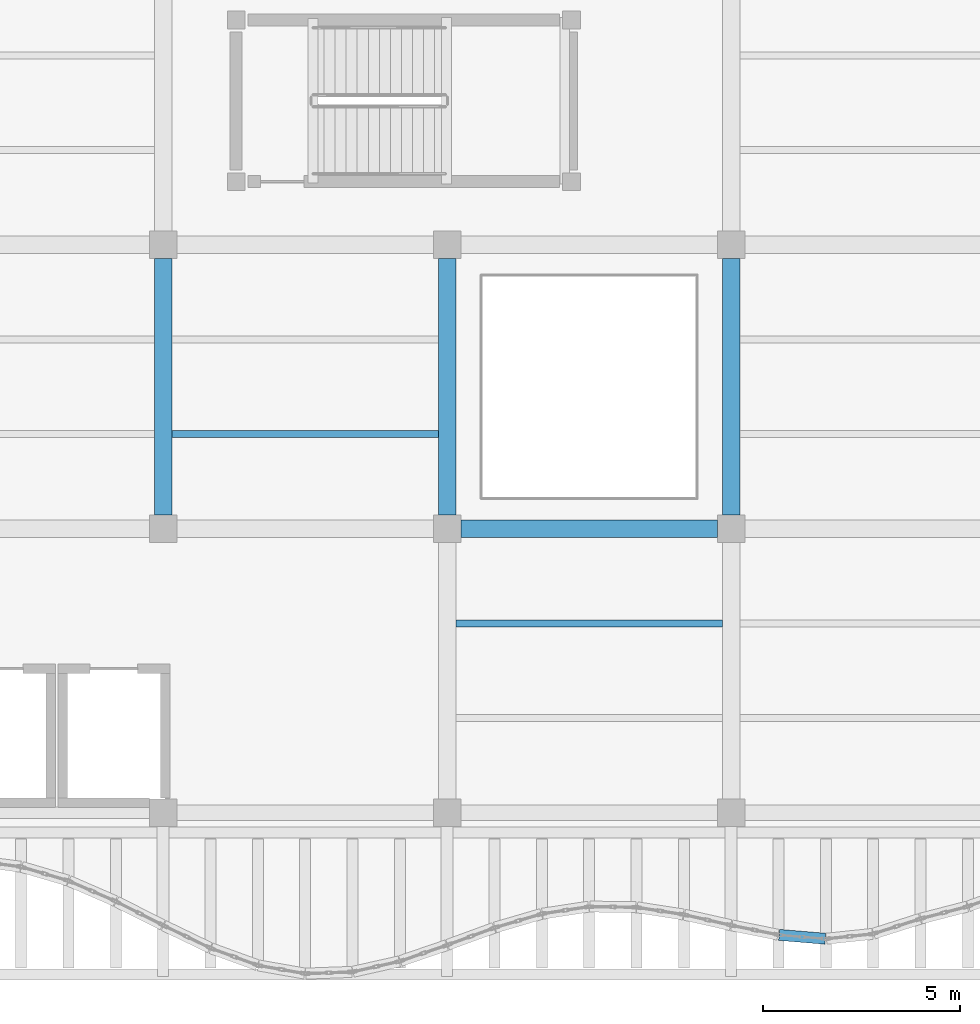
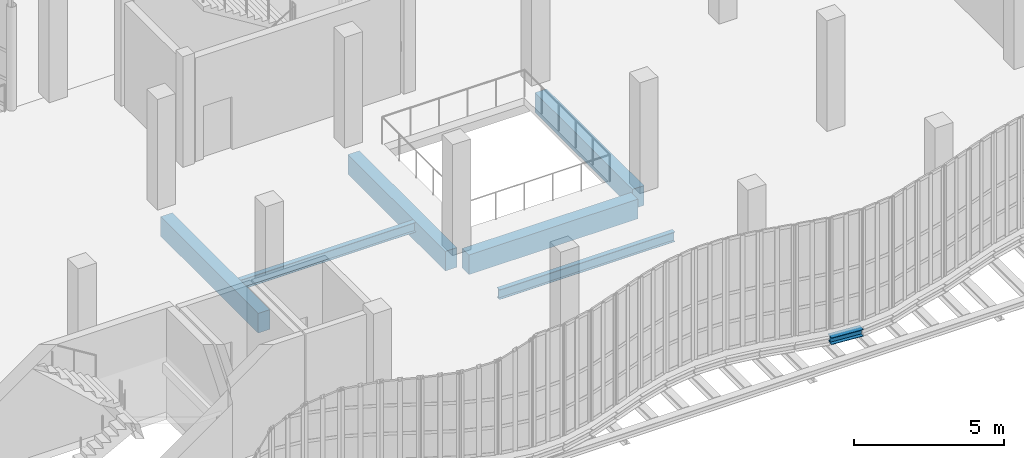
# One storey, part 32 of 108: 7 beams.
"""IFC4 building model written with IfcOpenShell, lengths in metres."""

from ifc_helpers import new_model, si_unit, direction, frame, origin, origin_2d, place, context, subcontext, project, spatial, rectangle, i_section, extrude, material, material_profile, profile_set, type_object, element, save


model = new_model("IFC4")

# Units and contexts
model_context = context("Model", 3, precision=1e-05, world=origin(), true_north=direction((0.0, 1.0)))
body_context = subcontext(model_context, "Body", "Model", "MODEL_VIEW")
ifc_project = project(units=[si_unit("LENGTHUNIT", "METRE"), si_unit("AREAUNIT", "SQUARE_METRE"), si_unit("VOLUMEUNIT", "CUBIC_METRE"), si_unit("PLANEANGLEUNIT", "RADIAN"), si_unit("MASSUNIT", "GRAM", prefix="KILO"), si_unit("THERMODYNAMICTEMPERATUREUNIT", "KELVIN"), si_unit("POWERUNIT", "WATT")], contexts=[model_context])

# Site, building, storey
site_placement = place(None, origin())
site = spatial("IfcSite", under=ifc_project, at=site_placement, CompositionType="ELEMENT")
building_placement = place(site_placement, origin())
building = spatial("IfcBuilding", under=site, at=building_placement, Name="Kaldorven Railside Theatre", CompositionType="ELEMENT")
storey_placement = place(building_placement, frame((0.0, 0.0, 5.39990234375)))
storey = spatial("IfcBuildingStorey", under=building, at=storey_placement, Name="L01", CompositionType="ELEMENT", Elevation=5.39990234375)

# Beams
ifc_material_1 = material(Name="Steel S355", Category="steel")
ifc_material_profile_1 = material_profile(ifc_material_1, i_section(OverallWidth=0.280029296875, OverallDepth=0.280029296875, WebThickness=0.010498046875, FlangeThickness=0.01806640625, at=origin_2d()), Name="HEB 280")
ifc_profile_set_1 = profile_set([ifc_material_profile_1], Name="Steel S355")
beam_type_1 = type_object("IfcBeamType", Name="BM-HEB280", PredefinedType="SPANDREL", material=ifc_profile_set_1)
beam_placement = place(storey_placement, frame((88.414794921875, 16.103271484375, -0.43994140625), z_axis=(0.996519905815, -0.083355127708, 0.0), x_axis=(0.083355127708, 0.996519905815, 0.0)))
element("IfcBeam", 1, at=beam_placement, inside=storey, type_object=beam_type_1, Name="L01 Sinusoidal Flute Edge Spandrel FSB-044", PredefinedType="SPANDREL", context=body_context, shape_type="SweptSolid", body=[
    extrude(i_section(OverallWidth=0.280029296875, OverallDepth=0.280029296875, WebThickness=0.010498046875, FlangeThickness=0.01806640625, at=origin_2d()), origin(), (0.0, 0.0, 1.0), 1.174560546875),
])
ifc_material_profile_2 = material_profile(ifc_material_1, i_section(OverallWidth=0.179931640625, OverallDepth=0.39990234375, WebThickness=0.008544921875, FlangeThickness=0.013427734375, at=origin_2d()), Name="IPE 400")
ifc_profile_set_2 = profile_set([ifc_material_profile_2], Name="Steel S355")
beam_type_2 = type_object("IfcBeamType", Name="BM-IPE400", PredefinedType="JOIST", material=ifc_profile_set_2)
for number, where, z_axis, x_axis, name in (
    (2, (80.22509765625, 24.0, -0.5), (1.0, 0.0, 0.0), (0.0, 1.0, 0.0), "L01 Secondary Floor Joist JG-L01-080-0240"),
    (3, (73.02490234375, 28.800048828125, -0.5), (1.0, 0.0, 0.0), (0.0, 1.0, 0.0), "L01 Secondary Floor Joist JG-L01-072-0288"),
):
    element("IfcBeam", number, at=place(storey_placement, frame(where, z_axis=z_axis, x_axis=x_axis)), inside=storey, type_object=beam_type_2, Name=name, PredefinedType="JOIST", context=body_context, shape_type="SweptSolid", body=[
        extrude(i_section(OverallWidth=0.179931640625, OverallDepth=0.39990234375, WebThickness=0.008544921875, FlangeThickness=0.013427734375, at=origin_2d()), origin(), (0.0, 0.0, 1.0), 6.75),
    ])
ifc_material_2 = material(Name="Concrete C40/50", Category="concrete")
ifc_material_profile_3 = material_profile(ifc_material_2, rectangle(XDim=0.449951171875, YDim=0.800048828125, at=origin_2d()), Name="RC 450x800")
ifc_profile_set_3 = profile_set([ifc_material_profile_3], Name="Concrete C40/50")
beam_type_3 = type_object("IfcBeamType", Name="BM-RC450x800", PredefinedType="BEAM", material=ifc_profile_set_3)
for number, where, z_axis, x_axis, name in (
    (4, (72.800048828125, 26.75, -0.699951171875), (0.0, 1.0, 0.0), (-1.0, 0.0, 0.0), "L01 Girder BGY-L01-072-026-72"),
    (5, (80.35009765625, 26.39990234375, -0.699951171875), (1.0, 0.0, 0.0), (0.0, 1.0, 0.0), "L01 Girder BGX-L01-080-026"),
    (6, (80.0, 26.75, -0.699951171875), (0.0, 1.0, 0.0), (-1.0, 0.0, 0.0), "L01 Girder BGY-L01-080-026-72"),
    (7, (87.199951171875, 26.75, -0.699951171875), (0.0, 1.0, 0.0), (-1.0, 0.0, 0.0), "L01 Girder BGY-L01-087-026-72"),
):
    element("IfcBeam", number, at=place(storey_placement, frame(where, z_axis=z_axis, x_axis=x_axis)), inside=storey, type_object=beam_type_3, Name=name, PredefinedType="BEAM", context=body_context, shape_type="SweptSolid", body=[
        extrude(rectangle(XDim=0.449951171875, YDim=0.800048828125, at=origin_2d()), origin(), (0.0, 0.0, 1.0), 6.5),
    ])

save(model, "model.ifc")
